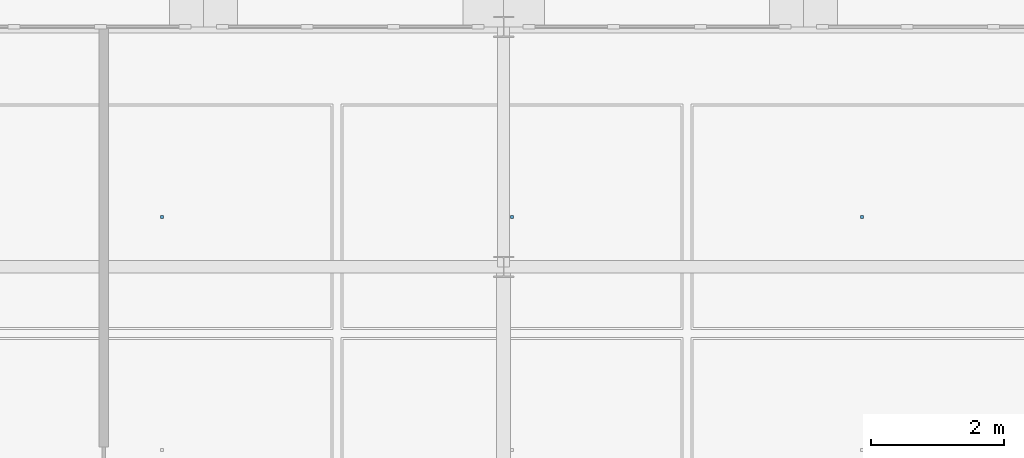
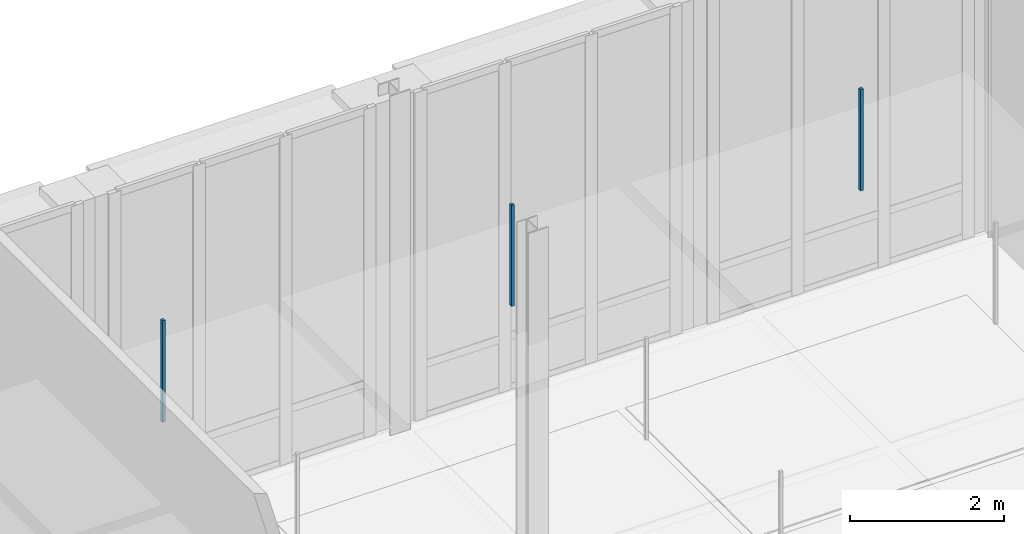
# One storey, part 143 of 180: 3 discrete accessories.
"""IFC4 building model written with IfcOpenShell, lengths in metres."""

from ifc_helpers import new_model, si_unit, direction, frame, origin, origin_2d, place, context, subcontext, project, spatial, rectangle, extrude, material, type_object, element, save


model = new_model("IFC4")

# Units and contexts
model_context = context("Model", 3, precision=1e-05, world=origin(), true_north=direction((0.0, 1.0)))
body_context = subcontext(model_context, "Body", "Model", "MODEL_VIEW")
ifc_project = project(units=[si_unit("LENGTHUNIT", "METRE"), si_unit("AREAUNIT", "SQUARE_METRE"), si_unit("VOLUMEUNIT", "CUBIC_METRE"), si_unit("PLANEANGLEUNIT", "RADIAN"), si_unit("MASSUNIT", "GRAM", prefix="KILO"), si_unit("THERMODYNAMICTEMPERATUREUNIT", "KELVIN"), si_unit("POWERUNIT", "WATT")], contexts=[model_context])

# Site, building, storey
site_placement = place(None, origin())
site = spatial("IfcSite", under=ifc_project, at=site_placement, CompositionType="ELEMENT")
building_placement = place(site_placement, origin())
building = spatial("IfcBuilding", under=site, at=building_placement, Name="Tallowbark Science Centre", CompositionType="ELEMENT")
storey_placement = place(building_placement, origin())
storey = spatial("IfcBuildingStorey", under=building, at=storey_placement, Name="L00", CompositionType="ELEMENT", Elevation=0.0)

# Discrete accessories
ifc_material = material(Name="Galvanised Steel Grade C350L0 (350 MPa)", Category="steel")
discrete_accessory_type = type_object("IfcDiscreteAccessoryType", Name="ACC-CLG-HNG", PredefinedType="BRACKET", material=ifc_material)
for number, where, z_axis, x_axis, name in (
    (1, (84.875, 108.75, 3.609375), (0.0, 0.0, 1.0), (1.0, 0.0, 0.0), "Ceiling Hanger Bracket L00-414"),
    (2, (90.125, 108.75, 3.609375), (0.0, 0.0, 1.0), (1.0, 0.0, 0.0), "Ceiling Hanger Bracket L00-417"),
    (3, (95.375, 108.75, 3.609375), (0.0, 0.0, 1.0), (1.0, 0.0, 0.0), "Ceiling Hanger Bracket L00-420"),
):
    element("IfcDiscreteAccessory", number, at=place(storey_placement, frame(where, z_axis=z_axis, x_axis=x_axis)), inside=storey, type_object=discrete_accessory_type, Name=name, PredefinedType="BRACKET", context=body_context, shape_type="SweptSolid", body=[
        extrude(rectangle(XDim=0.044921875, YDim=0.044921875, at=origin_2d()), origin(), (0.0, 0.0, 1.0), 1.613525390625),
    ])

save(model, "model.ifc")
